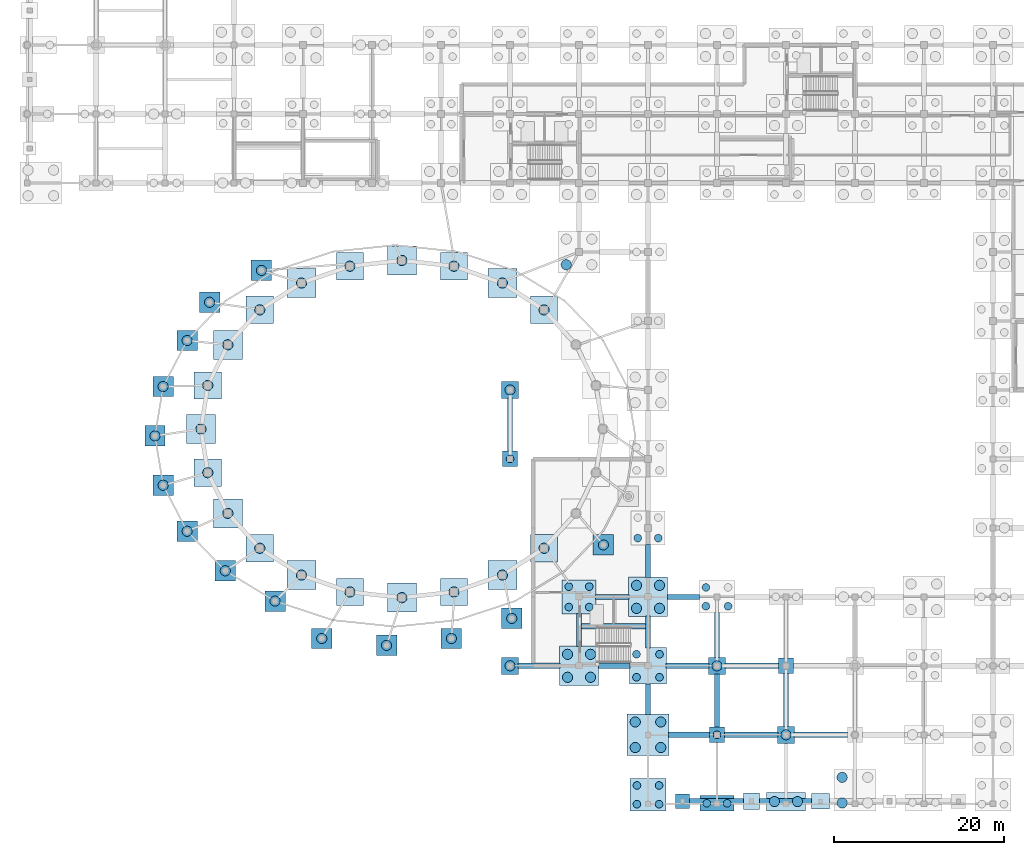
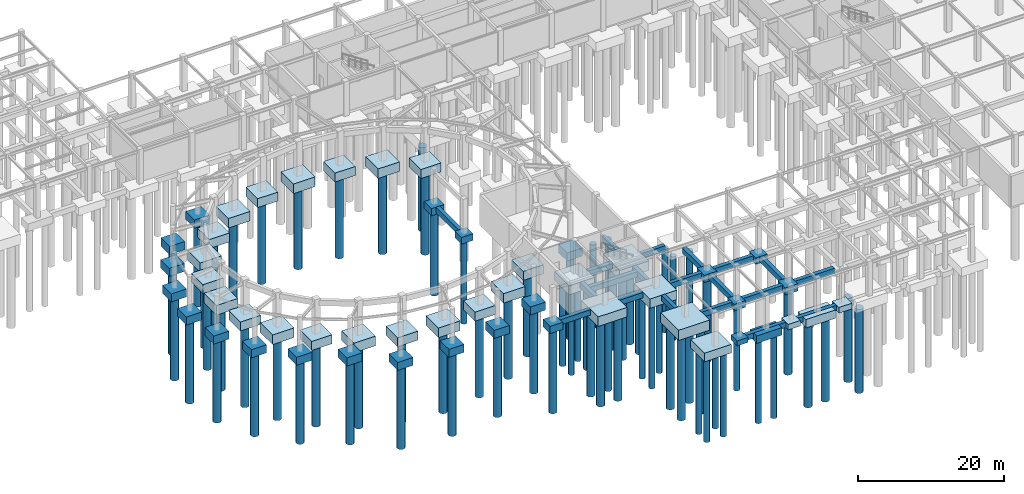
# One storey, part 1 of 26: 75 piles, 71 footings.
"""IFC4 building model written with IfcOpenShell, lengths in metres."""

import ifcopenshell
import ifcopenshell.guid

model = None  # the IFC model being written
_history = None  # IfcOwnerHistory: only IFC2X3 demands one
_inside = {}  # id of a spatial element -> (the spatial element, [elements in it])
_under = {}  # id of a project, library or spatial element -> (it, [spatial elements below it])
_declared = {}  # id of a project -> (the project, [libraries it declares])
_typed = {}  # id of a type object -> (the type object, [elements of that type])
_made_of = {}  # id of a material, layer set ... -> (it, [elements and type objects made of it])


def new_model(schema):
    """Start an empty IFC model of exactly this schema.

    Asked for "IFC4X3", IfcOpenShell would pick the latest addendum, in which some entities
    have other attributes; the version numbers below select the first issue.
    IFC2X3 requires an IfcOwnerHistory on every rooted entity: one is made here for all.
    """
    global model, _history
    if schema == "IFC4X3":
        model = ifcopenshell.file(schema_version=(4, 3, 0, 0))
    else:
        model = ifcopenshell.file(schema=schema)
    _inside.clear()
    _under.clear()
    _declared.clear()
    _typed.clear()
    _made_of.clear()
    _history = None
    if model.schema == "IFC2X3":
        org = make("IfcOrganization", Name="unknown")
        user = make(
            "IfcPersonAndOrganization",
            ThePerson=make("IfcPerson", FamilyName="unknown"),
            TheOrganization=org,
        )
        app = make(
            "IfcApplication",
            ApplicationDeveloper=org,
            Version="unknown",
            ApplicationFullName="unknown",
            ApplicationIdentifier="unknown",
        )
        _history = make(
            "IfcOwnerHistory",
            OwningUser=user,
            OwningApplication=app,
            ChangeAction="ADDED",
            CreationDate=0,
        )
    return model


def make(cls, **values):
    """One entity of the class cls with the attributes given. An attribute that is None is left unset."""
    return model.create_entity(
        cls, **{name: value for name, value in values.items() if value is not None}
    )


def rooted(cls, **values):
    """An entity with a GlobalId (a new one), such as an element, a storey or a relation."""
    return make(cls, GlobalId=ifcopenshell.guid.new(), OwnerHistory=_history, **values)


def si_unit(unit_type, name, prefix=None):
    """IfcSIUnit, for example si_unit("LENGTHUNIT", "METRE", prefix="MILLI")."""
    return make("IfcSIUnit", UnitType=unit_type, Prefix=prefix, Name=name)


def assignment(units):
    """IfcUnitAssignment: the units of a project."""
    return None if units is None else make("IfcUnitAssignment", Units=units)


def point(xyz):
    """IfcCartesianPoint."""
    return None if xyz is None else make("IfcCartesianPoint", Coordinates=xyz)


def direction(xyz):
    """IfcDirection."""
    return None if xyz is None else make("IfcDirection", DirectionRatios=xyz)


def frame(location, z_axis=None, x_axis=None):
    """IfcAxis2Placement3D, a coordinate frame: its origin and axes. An axis left out is left unset."""
    return make(
        "IfcAxis2Placement3D",
        Location=point(location),
        Axis=direction(z_axis),
        RefDirection=direction(x_axis),
    )


def frame_2d(location, x_axis=None):
    """IfcAxis2Placement2D, a coordinate frame in the plane: its origin and x axis."""
    return make(
        "IfcAxis2Placement2D", Location=point(location), RefDirection=direction(x_axis)
    )


def origin():
    """The frame at (0, 0, 0) with its axes left unset."""
    return frame((0.0, 0.0, 0.0))


def origin_2d():
    """The frame at (0, 0) in the plane with its x axis left unset."""
    return frame_2d((0.0, 0.0))


def place(relative_to, where):
    """IfcLocalPlacement: puts the frame where relative to a parent placement (None: the world)."""
    return make(
        "IfcLocalPlacement", PlacementRelTo=relative_to, RelativePlacement=where
    )


def context(
    kind, dimensions, precision=None, world=None, true_north=None, identifier=None
):
    """IfcGeometricRepresentationContext, for example the 3D "Model" context."""
    return make(
        "IfcGeometricRepresentationContext",
        ContextIdentifier=identifier,
        ContextType=kind,
        CoordinateSpaceDimension=dimensions,
        Precision=precision,
        WorldCoordinateSystem=world,
        TrueNorth=true_north,
    )


def subcontext(parent, identifier, kind, view, scale=None):
    """IfcGeometricRepresentationSubContext, for example "Body" below "Model"."""
    return make(
        "IfcGeometricRepresentationSubContext",
        ContextIdentifier=identifier,
        ContextType=kind,
        ParentContext=parent,
        TargetScale=scale,
        TargetView=view,
    )


def project(units=None, contexts=None):
    """IfcProject with its units and contexts."""
    return rooted(
        "IfcProject",
        Name="project",
        RepresentationContexts=contexts,
        UnitsInContext=assignment(units),
    )


def spatial(cls, under=None, at=None, **own):
    """A site, building, storey or space (cls), placed at a placement, below another one or the project."""
    s = rooted(cls, ObjectPlacement=at, **own)
    if under is not None:
        _under.setdefault(under.id(), (under, []))[1].append(s)
    return s


def profile(cls, at=None, kind="AREA", **sizes):
    """A parametric profile (cls). Its sizes go by their IFC names, for example OverallWidth=200.0."""
    return make(cls, ProfileType=kind, Position=at, **sizes)


def rectangle(**sizes):
    """IfcRectangleProfileDef."""
    return profile("IfcRectangleProfileDef", **sizes)


def circle(**sizes):
    """IfcCircleProfileDef."""
    return profile("IfcCircleProfileDef", **sizes)


def extrude(swept, where, along, depth):
    """IfcExtrudedAreaSolid: the profile swept, set in the frame where, extruded along a direction by depth."""
    return make(
        "IfcExtrudedAreaSolid",
        SweptArea=swept,
        Position=where,
        ExtrudedDirection=direction(along),
        Depth=depth,
    )


def shape(context_of_items, identifier, shape_type, items):
    """IfcShapeRepresentation: the items that make up one representation, for example the "Body"."""
    return make(
        "IfcShapeRepresentation",
        ContextOfItems=context_of_items,
        RepresentationIdentifier=identifier,
        RepresentationType=shape_type,
        Items=items,
    )


def material(Name=None, Category=None):
    """IfcMaterial."""
    return make("IfcMaterial", Name=Name, Category=Category)


def material_profile(
    of_material, cross_section, Name=None, Category=None, Priority=None
):
    """IfcMaterialProfile: a cross section and its material."""
    return make(
        "IfcMaterialProfile",
        Name=Name,
        Material=of_material,
        Profile=cross_section,
        Priority=Priority,
        Category=Category,
    )


def profile_set(profiles, Name=None, composite=None):
    """IfcMaterialProfileSet."""
    return make(
        "IfcMaterialProfileSet",
        Name=Name,
        MaterialProfiles=profiles,
        CompositeProfile=composite,
    )


def made_of(thing, what):
    """Note that an element or type object is made of a material, layer set ...; save() writes the relation."""
    if what is not None:
        _made_of.setdefault(what.id(), (what, []))[1].append(thing)
    return thing


def type_object(cls, material=None, **own):
    """A type object (cls), such as IfcWallType, which elements share."""
    return made_of(rooted(cls, **own), material)


def element(
    cls,
    number,
    at=None,
    inside=None,
    cuts=None,
    type_object=None,
    material=None,
    context=None,
    identifier="Body",
    shape_type=None,
    held_by="IfcProductDefinitionShape",
    body=None,
    shapes=None,
    **own,
):
    """One element of the class cls, such as IfcWall. Its Tag is "e" and its number.

    at: its placement. inside: the storey or other place that contains it. cuts: it is an
    opening in that element (IfcRelVoidsElement). A single representation is given by context,
    identifier, shape_type and body (its items); several are given by shapes. held_by: the class
    of the entity that holds the representations. save() writes the other relations.
    """
    e = rooted(cls, Tag="e%d" % number, ObjectPlacement=at, **own)
    if body is not None:
        shapes = [shape(context, identifier, shape_type, body)]
    if shapes is not None:
        e.Representation = make(held_by, Representations=shapes)
    if inside is not None:
        _inside.setdefault(inside.id(), (inside, []))[1].append(e)
    if cuts is not None:
        rooted(
            "IfcRelVoidsElement", RelatingBuildingElement=cuts, RelatedOpeningElement=e
        )
    if type_object is not None:
        _typed.setdefault(type_object.id(), (type_object, []))[1].append(e)
    return made_of(e, material)


def aggregate(whole, parts):
    """IfcRelAggregates: a whole, such as a stair, and the parts it consists of."""
    return rooted("IfcRelAggregates", RelatingObject=whole, RelatedObjects=parts)


def save(model, path):
    """Write the relations noted so far, then the file.

    IfcRelAggregates (storeys below a building ...), IfcRelContainedInSpatialStructure (elements
    in a storey), IfcRelDefinesByType, IfcRelAssociatesMaterial and IfcRelDeclares: one each for
    every whole, place, type object, material and project.
    """
    for whole, parts in _under.values():
        aggregate(whole, parts)
    for where, things in _inside.values():
        rooted(
            "IfcRelContainedInSpatialStructure",
            RelatedElements=things,
            RelatingStructure=where,
        )
    for kind, things in _typed.values():
        rooted("IfcRelDefinesByType", RelatedObjects=things, RelatingType=kind)
    for what, things in _made_of.values():
        rooted("IfcRelAssociatesMaterial", RelatedObjects=things, RelatingMaterial=what)
    for by, libraries in _declared.values():
        rooted("IfcRelDeclares", RelatingContext=by, RelatedDefinitions=libraries)
    model.write(path)


model = new_model("IFC4")

# Units and contexts
model_context = context("Model", 3, precision=1e-05, world=origin(), true_north=direction((0.0, 1.0)))
body_context = subcontext(model_context, "Body", "Model", "MODEL_VIEW")
ifc_project = project(units=[si_unit("LENGTHUNIT", "METRE"), si_unit("AREAUNIT", "SQUARE_METRE"), si_unit("VOLUMEUNIT", "CUBIC_METRE"), si_unit("PLANEANGLEUNIT", "RADIAN"), si_unit("MASSUNIT", "GRAM", prefix="KILO")], contexts=[model_context])

# Site, building, storey
site_placement = place(None, origin())
site = spatial("IfcSite", under=ifc_project, at=site_placement, CompositionType="ELEMENT")
building_placement = place(site_placement, origin())
building = spatial("IfcBuilding", under=site, at=building_placement, Name="Parian Resonance Hall", CompositionType="ELEMENT")
storey_placement = place(building_placement, frame((0.0, 0.0, -5.39990234375)))
storey = spatial("IfcBuildingStorey", under=building, at=storey_placement, Name="B1", CompositionType="ELEMENT", Elevation=-5.39990234375)

# Footings
ifc_material_1 = material(Name="Concrete C35/45", Category="concrete")
ifc_material_profile_1 = material_profile(ifc_material_1, rectangle(XDim=0.60009765625, YDim=0.89990234375, at=origin_2d()), Name="RC-GB-600x900")
ifc_profile_set_1 = profile_set([ifc_material_profile_1], Name="Concrete C35/45")
footing_type_1 = type_object("IfcFootingType", Name="GB-600x900", PredefinedType="FOOTING_BEAM", material=ifc_profile_set_1)
footing_1_placement = place(storey_placement, frame((57.659912109375, 16.199951171875, -0.85009765625), z_axis=(1.0, 0.0, 0.0), x_axis=(0.0, 1.0, 0.0)))
element("IfcFooting", 1, at=footing_1_placement, inside=storey, type_object=footing_type_1, Name="Foundation tie beam B1-048", PredefinedType="FOOTING_BEAM", context=body_context, shape_type="SweptSolid", body=[
    extrude(rectangle(XDim=0.60009765625, YDim=0.89990234375, at=origin_2d()), origin(), (0.0, 0.0, 1.0), 4.880126953125),
])
footing_2_placement = place(storey_placement, frame((56.699951171875, 41.360107421875, -0.85009765625), z_axis=(0.0, 1.0, 0.0), x_axis=(-1.0, 0.0, 0.0)))
element("IfcFooting", 2, at=footing_2_placement, inside=storey, type_object=footing_type_1, Name="Foundation tie beam B1-049", PredefinedType="FOOTING_BEAM", context=body_context, shape_type="SweptSolid", body=[
    extrude(rectangle(XDim=0.60009765625, YDim=0.89990234375, at=origin_2d()), origin(), (0.0, 0.0, 1.0), 6.27978515625),
])
footing_3_placement = place(storey_placement, frame((67.06005859375, 16.199951171875, -0.85009765625), z_axis=(1.0, 0.0, 0.0), x_axis=(0.0, 1.0, 0.0)))
element("IfcFooting", 3, at=footing_3_placement, inside=storey, type_object=footing_type_1, Name="Foundation tie beam B1-055", PredefinedType="FOOTING_BEAM", context=body_context, shape_type="SweptSolid", body=[
    extrude(rectangle(XDim=0.60009765625, YDim=0.89990234375, at=origin_2d()), origin(), (0.0, 0.0, 1.0), 3.72998046875),
])
footing_4_placement = place(storey_placement, frame((64.800048828125, 18.4599609375, -0.85009765625), z_axis=(0.0, 1.0, 0.0), x_axis=(-1.0, 0.0, 0.0)))
element("IfcFooting", 4, at=footing_4_placement, inside=storey, type_object=footing_type_1, Name="Foundation tie beam B1-056", PredefinedType="FOOTING_BEAM", context=body_context, shape_type="SweptSolid", body=[
    extrude(rectangle(XDim=0.60009765625, YDim=0.89990234375, at=origin_2d()), origin(), (0.0, 0.0, 1.0), 3.880126953125),
])
footing_5_placement = place(storey_placement, frame((66.760009765625, 24.300048828125, -0.85009765625), z_axis=(1.0, 0.0, 0.0), x_axis=(0.0, 1.0, 0.0)))
element("IfcFooting", 5, at=footing_5_placement, inside=storey, type_object=footing_type_1, Name="Foundation tie beam B1-057", PredefinedType="FOOTING_BEAM", context=body_context, shape_type="SweptSolid", body=[
    extrude(rectangle(XDim=0.60009765625, YDim=0.89990234375, at=origin_2d()), origin(), (0.0, 0.0, 1.0), 3.8798828125),
])
footing_6_placement = place(storey_placement, frame((75.31005859375, 8.10009765625, -0.85009765625), z_axis=(1.0, 0.0, 0.0), x_axis=(0.0, 1.0, 0.0)))
element("IfcFooting", 6, at=footing_6_placement, inside=storey, type_object=footing_type_1, Name="Foundation tie beam B1-065", PredefinedType="FOOTING_BEAM", context=body_context, shape_type="SweptSolid", body=[
    extrude(rectangle(XDim=0.60009765625, YDim=0.89990234375, at=origin_2d()), origin(), (0.0, 0.0, 1.0), 4.829833984375),
])
footing_7_placement = place(storey_placement, frame((72.89990234375, 10.510009765625, -0.85009765625), z_axis=(0.0, 1.0, 0.0), x_axis=(-1.0, 0.0, 0.0)))
element("IfcFooting", 7, at=footing_7_placement, inside=storey, type_object=footing_type_1, Name="Foundation tie beam B1-066", PredefinedType="FOOTING_BEAM", context=body_context, shape_type="SweptSolid", body=[
    extrude(rectangle(XDim=0.60009765625, YDim=0.89990234375, at=origin_2d()), origin(), (0.0, 0.0, 1.0), 3.580078125),
])
footing_8_placement = place(storey_placement, frame((75.010009765625, 16.199951171875, -0.85009765625), z_axis=(1.0, 0.0, 0.0), x_axis=(0.0, 1.0, 0.0)))
element("IfcFooting", 8, at=footing_8_placement, inside=storey, type_object=footing_type_1, Name="Foundation tie beam B1-067", PredefinedType="FOOTING_BEAM", context=body_context, shape_type="SweptSolid", body=[
    extrude(rectangle(XDim=0.60009765625, YDim=0.89990234375, at=origin_2d()), origin(), (0.0, 0.0, 1.0), 5.030029296875),
])
footing_9_placement = place(storey_placement, frame((72.89990234375, 18.31005859375, -0.85009765625), z_axis=(0.0, 1.0, 0.0), x_axis=(-1.0, 0.0, 0.0)))
element("IfcFooting", 9, at=footing_9_placement, inside=storey, type_object=footing_type_1, Name="Foundation tie beam B1-068", PredefinedType="FOOTING_BEAM", context=body_context, shape_type="SweptSolid", body=[
    extrude(rectangle(XDim=0.60009765625, YDim=0.89990234375, at=origin_2d()), origin(), (0.0, 0.0, 1.0), 3.72998046875),
])
footing_10_placement = place(storey_placement, frame((75.159912109375, 24.300048828125, -0.85009765625), z_axis=(1.0, 0.0, 0.0), x_axis=(0.0, 1.0, 0.0)))
element("IfcFooting", 10, at=footing_10_placement, inside=storey, type_object=footing_type_1, Name="Foundation tie beam B1-069", PredefinedType="FOOTING_BEAM", context=body_context, shape_type="SweptSolid", body=[
    extrude(rectangle(XDim=0.60009765625, YDim=0.89990234375, at=origin_2d()), origin(), (0.0, 0.0, 1.0), 3.780029296875),
])
footing_11_placement = place(storey_placement, frame((72.89990234375, 26.56005859375, -0.85009765625), z_axis=(0.0, 1.0, 0.0), x_axis=(-1.0, 0.0, 0.0)))
element("IfcFooting", 11, at=footing_11_placement, inside=storey, type_object=footing_type_1, Name="Foundation tie beam B1-070", PredefinedType="FOOTING_BEAM", context=body_context, shape_type="SweptSolid", body=[
    extrude(rectangle(XDim=0.60009765625, YDim=0.89990234375, at=origin_2d()), origin(), (0.0, 0.0, 1.0), 3.8798828125),
])
footing_12_placement = place(storey_placement, frame((77.760009765625, 0.300048828125, -0.85009765625), z_axis=(1.0, 0.0, 0.0), x_axis=(0.0, 1.0, 0.0)))
element("IfcFooting", 12, at=footing_12_placement, inside=storey, type_object=footing_type_1, Name="Foundation tie beam B1-081", PredefinedType="FOOTING_BEAM", context=body_context, shape_type="SweptSolid", body=[
    extrude(rectangle(XDim=0.60009765625, YDim=0.89990234375, at=origin_2d()), origin(), (0.0, 0.0, 1.0), 6.3798828125),
])
footing_13_placement = place(storey_placement, frame((81.860107421875, 8.10009765625, -0.85009765625), z_axis=(1.0, 0.0, 0.0), x_axis=(0.0, 1.0, 0.0)))
element("IfcFooting", 13, at=footing_13_placement, inside=storey, type_object=footing_type_1, Name="Foundation tie beam B1-082", PredefinedType="FOOTING_BEAM", context=body_context, shape_type="SweptSolid", body=[
    extrude(rectangle(XDim=0.60009765625, YDim=0.89990234375, at=origin_2d()), origin(), (0.0, 0.0, 1.0), 6.27978515625),
])
for number, where, z_axis, x_axis, name in (
    (14, (81.0, 8.9599609375, -0.85009765625), (0.0, 1.0, 0.0), (-1.0, 0.0, 0.0), "Foundation tie beam B1-083"),
    (15, (81.9599609375, 16.199951171875, -0.85009765625), (1.0, 0.0, 0.0), (0.0, 1.0, 0.0), "Foundation tie beam B1-084"),
):
    element("IfcFooting", number, at=place(storey_placement, frame(where, z_axis=z_axis, x_axis=x_axis)), inside=storey, type_object=footing_type_1, Name=name, PredefinedType="FOOTING_BEAM", context=body_context, shape_type="SweptSolid", body=[
        extrude(rectangle(XDim=0.60009765625, YDim=0.89990234375, at=origin_2d()), origin(), (0.0, 0.0, 1.0), 6.280029296875),
    ])
footing_14_placement = place(storey_placement, frame((81.0, 17.159912109375, -0.85009765625), z_axis=(0.0, 1.0, 0.0), x_axis=(-1.0, 0.0, 0.0)))
element("IfcFooting", 16, at=footing_14_placement, inside=storey, type_object=footing_type_1, Name="Foundation tie beam B1-085", PredefinedType="FOOTING_BEAM", context=body_context, shape_type="SweptSolid", body=[
    extrude(rectangle(XDim=0.60009765625, YDim=0.89990234375, at=origin_2d()), origin(), (0.0, 0.0, 1.0), 5.280029296875),
])
footing_15_placement = place(storey_placement, frame((85.9599609375, 0.300048828125, -0.85009765625), z_axis=(1.0, 0.0, 0.0), x_axis=(0.0, 1.0, 0.0)))
element("IfcFooting", 17, at=footing_15_placement, inside=storey, type_object=footing_type_1, Name="Foundation tie beam B1-092", PredefinedType="FOOTING_BEAM", context=body_context, shape_type="SweptSolid", body=[
    extrude(rectangle(XDim=0.60009765625, YDim=0.89990234375, at=origin_2d()), origin(), (0.0, 0.0, 1.0), 6.179931640625),
])
for number, where, z_axis, x_axis, name in (
    (18, (90.06005859375, 8.10009765625, -0.85009765625), (1.0, 0.0, 0.0), (0.0, 1.0, 0.0), "Foundation tie beam B1-093"),
    (19, (89.10009765625, 9.06005859375, -0.85009765625), (0.0, 1.0, 0.0), (-1.0, 0.0, 0.0), "Foundation tie beam B1-094"),
):
    element("IfcFooting", number, at=place(storey_placement, frame(where, z_axis=z_axis, x_axis=x_axis)), inside=storey, type_object=footing_type_1, Name=name, PredefinedType="FOOTING_BEAM", context=body_context, shape_type="SweptSolid", body=[
        extrude(rectangle(XDim=0.60009765625, YDim=0.89990234375, at=origin_2d()), origin(), (0.0, 0.0, 1.0), 6.280029296875),
    ])
footing_16_placement = place(storey_placement, frame((64.800048828125, 20.85009765625, -0.85009765625), z_axis=(1.0, 0.0, 0.0), x_axis=(0.0, 1.0, 0.0)))
element("IfcFooting", 20, at=footing_16_placement, inside=storey, type_object=footing_type_1, Name="Core K3 divider foundation beam", PredefinedType="FOOTING_BEAM", context=body_context, shape_type="SweptSolid", body=[
    extrude(rectangle(XDim=0.60009765625, YDim=0.89990234375, at=origin_2d()), origin(), (0.0, 0.0, 1.0), 8.099853515625),
])
ifc_material_2 = material(Name="Concrete C35/45", Category="concrete")
footing_type_2 = type_object("IfcFootingType", Name="PAD-1700", PredefinedType="PAD_FOOTING", material=ifc_material_2)
footing_17_placement = place(storey_placement, frame((76.949951171875, 0.300048828125, -1.250244140625), z_axis=(0.0, 0.0, 1.0), x_axis=(1.0, 0.0, 0.0)))
element("IfcFooting", 21, at=footing_17_placement, inside=storey, type_object=footing_type_2, Name="Arcade pad footing PIL-S-09", PredefinedType="PAD_FOOTING", context=body_context, shape_type="SweptSolid", body=[
    extrude(rectangle(XDim=1.699951171875, YDim=1.699951171875, at=origin_2d()), origin(), (0.0, 0.0, 1.0), 0.85009765625),
])
ifc_material_3 = material(Name="Concrete C35/45", Category="concrete")
footing_type_3 = type_object("IfcFootingType", Name="PAD-1900", PredefinedType="PAD_FOOTING", material=ifc_material_3)
footing_18_placement = place(storey_placement, frame((85.050048828125, 0.300048828125, -1.300048828125), z_axis=(0.0, 0.0, 1.0), x_axis=(1.0, 0.0, 0.0)))
element("IfcFooting", 22, at=footing_18_placement, inside=storey, type_object=footing_type_3, Name="Arcade pad footing PIL-S-10", PredefinedType="PAD_FOOTING", context=body_context, shape_type="SweptSolid", body=[
    extrude(rectangle(XDim=1.89990234375, YDim=1.89990234375, at=origin_2d()), origin(), (0.0, 0.0, 1.0), 0.89990234375),
])
ifc_material_4 = material(Name="Concrete C35/45", Category="concrete")
footing_type_4 = type_object("IfcFootingType", Name="PAD-2100x1800", PredefinedType="PAD_FOOTING", material=ifc_material_4)
footing_19_placement = place(storey_placement, frame((93.14990234375, 0.300048828125, -1.35009765625), z_axis=(0.0, 0.0, 1.0), x_axis=(1.0, 0.0, 0.0)))
element("IfcFooting", 23, at=footing_19_placement, inside=storey, type_object=footing_type_4, Name="Arcade pad footing PIL-S-11", PredefinedType="PAD_FOOTING", context=body_context, shape_type="SweptSolid", body=[
    extrude(rectangle(XDim=2.10009765625, YDim=1.800048828125, at=origin_2d()), origin(), (0.0, 0.0, 1.0), 0.949951171875),
])
ifc_material_5 = material(Name="Concrete C35/45", Category="concrete")
footing_type_5 = type_object("IfcFootingType", Name="PC-1P-1800", PredefinedType="PILE_CAP", material=ifc_material_5)
for number, where, z_axis, x_axis, name in (
    (24, (56.699951171875, 40.5, -1.500244140625), (0.0, 0.0, 1.0), (1.0, 0.0, 0.0), "Pile cap G08-06"),
    (25, (81.0, 8.10009765625, -1.500244140625), (0.0, 0.0, 1.0), (1.0, 0.0, 0.0), "Pile cap G11-02"),
    (26, (89.10009765625, 16.199951171875, -1.500244140625), (0.0, 0.0, 1.0), (1.0, 0.0, 0.0), "Pile cap G12-03"),
):
    element("IfcFooting", number, at=place(storey_placement, frame(where, z_axis=z_axis, x_axis=x_axis)), inside=storey, type_object=footing_type_5, Name=name, PredefinedType="PILE_CAP", context=body_context, shape_type="SweptSolid", body=[
        extrude(rectangle(XDim=1.800048828125, YDim=1.800048828125, at=origin_2d()), origin(), (0.0, 0.0, 1.0), 1.10009765625),
    ])
ifc_material_6 = material(Name="Concrete C35/45", Category="concrete")
footing_type_6 = type_object("IfcFootingType", Name="PC-1P-2000", PredefinedType="PILE_CAP", material=ifc_material_6)
for number, where, z_axis, x_axis, name in (
    (27, (56.699951171875, 16.199951171875, -1.60009765625), (0.0, 0.0, 1.0), (1.0, 0.0, 0.0), "Pile cap G08-03"),
    (28, (56.699951171875, 48.60009765625, -1.60009765625), (0.0, 0.0, 1.0), (1.0, 0.0, 0.0), "Pile cap G08-07"),
    (29, (81.0, 16.199951171875, -1.60009765625), (0.0, 0.0, 1.0), (1.0, 0.0, 0.0), "Pile cap G11-03"),
    (30, (89.10009765625, 8.10009765625, -1.60009765625), (0.0, 0.0, 1.0), (1.0, 0.0, 0.0), "Pile cap G12-02"),
):
    element("IfcFooting", number, at=place(storey_placement, frame(where, z_axis=z_axis, x_axis=x_axis)), inside=storey, type_object=footing_type_6, Name=name, PredefinedType="PILE_CAP", context=body_context, shape_type="SweptSolid", body=[
        extrude(rectangle(XDim=2.0, YDim=2.0, at=origin_2d()), origin(), (0.0, 0.0, 1.0), 1.199951171875),
    ])
ifc_material_7 = material(Name="Concrete C35/45", Category="concrete")
footing_type_7 = type_object("IfcFootingType", Name="PC-2P-4000x1800", PredefinedType="PILE_CAP", material=ifc_material_7)
footing_20_placement = place(storey_placement, frame((81.0, 0.050048828125, -1.650146484375), z_axis=(0.0, 0.0, 1.0), x_axis=(1.0, 0.0, 0.0)))
element("IfcFooting", 31, at=footing_20_placement, inside=storey, type_object=footing_type_7, Name="Pile cap G11-01", PredefinedType="PILE_CAP", context=body_context, shape_type="SweptSolid", body=[
    extrude(rectangle(XDim=4.0, YDim=1.800048828125, at=origin_2d()), origin(), (0.0, 0.0, 1.0), 1.25),
])
ifc_material_8 = material(Name="Concrete C35/45", Category="concrete")
footing_type_8 = type_object("IfcFootingType", Name="PC-2P-4600x2200", PredefinedType="PILE_CAP", material=ifc_material_8)
footing_21_placement = place(storey_placement, frame((89.10009765625, 0.25, -1.800048828125), z_axis=(0.0, 0.0, 1.0), x_axis=(1.0, 0.0, 0.0)))
element("IfcFooting", 32, at=footing_21_placement, inside=storey, type_object=footing_type_8, Name="Pile cap G12-01", PredefinedType="PILE_CAP", context=body_context, shape_type="SweptSolid", body=[
    extrude(rectangle(XDim=4.60009765625, YDim=2.199951171875, at=origin_2d()), origin(), (0.0, 0.0, 1.0), 1.39990234375),
])
ifc_material_9 = material(Name="Concrete C35/45", Category="concrete")
footing_type_9 = type_object("IfcFootingType", Name="PC-3P-4200x3800", PredefinedType="PILE_CAP", material=ifc_material_9)
footing_22_placement = place(storey_placement, frame((72.89990234375, 1.050048828125, -1.85009765625), z_axis=(0.0, 0.0, 1.0), x_axis=(1.0, 0.0, 0.0)))
element("IfcFooting", 33, at=footing_22_placement, inside=storey, type_object=footing_type_9, Name="Pile cap G10-01", PredefinedType="PILE_CAP", context=body_context, shape_type="SweptSolid", body=[
    extrude(rectangle(XDim=4.199951171875, YDim=3.800048828125, at=origin_2d()), origin(), (0.0, 0.0, 1.0), 1.449951171875),
])
ifc_material_10 = material(Name="Concrete C35/45", Category="concrete")
footing_type_10 = type_object("IfcFootingType", Name="PC-4P-4000x4000", PredefinedType="PILE_CAP", material=ifc_material_10)
footing_23_placement = place(storey_placement, frame((64.800048828125, 24.300048828125, -1.900146484375), z_axis=(0.0, 0.0, 1.0), x_axis=(1.0, 0.0, 0.0)))
element("IfcFooting", 34, at=footing_23_placement, inside=storey, type_object=footing_type_10, Name="Pile cap G09-04", PredefinedType="PILE_CAP", context=body_context, shape_type="SweptSolid", body=[
    extrude(rectangle(XDim=4.0, YDim=4.0, at=origin_2d()), origin(), (0.0, 0.0, 1.0), 1.5),
])
ifc_material_11 = material(Name="Concrete C35/45", Category="concrete")
footing_type_11 = type_object("IfcFootingType", Name="PC-4P-4300x4300", PredefinedType="PILE_CAP", material=ifc_material_11)
footing_24_placement = place(storey_placement, frame((72.89990234375, 16.199951171875, -1.9501953125), z_axis=(0.0, 0.0, 1.0), x_axis=(1.0, 0.0, 0.0)))
element("IfcFooting", 35, at=footing_24_placement, inside=storey, type_object=footing_type_11, Name="Pile cap G10-03", PredefinedType="PILE_CAP", context=body_context, shape_type="SweptSolid", body=[
    extrude(rectangle(XDim=4.300048828125, YDim=4.300048828125, at=origin_2d()), origin(), (0.0, 0.0, 1.0), 1.550048828125),
])
ifc_material_12 = material(Name="Concrete C35/45", Category="concrete")
footing_type_12 = type_object("IfcFootingType", Name="PC-4P-4600x4600", PredefinedType="PILE_CAP", material=ifc_material_12)
for number, where, z_axis, x_axis, name in (
    (36, (64.800048828125, 16.199951171875, -2.000244140625), (0.0, 0.0, 1.0), (1.0, 0.0, 0.0), "Pile cap G09-03"),
    (37, (72.89990234375, 24.300048828125, -2.000244140625), (0.0, 0.0, 1.0), (1.0, 0.0, 0.0), "Pile cap G10-04"),
):
    element("IfcFooting", number, at=place(storey_placement, frame(where, z_axis=z_axis, x_axis=x_axis)), inside=storey, type_object=footing_type_12, Name=name, PredefinedType="PILE_CAP", context=body_context, shape_type="SweptSolid", body=[
        extrude(rectangle(XDim=4.60009765625, YDim=4.60009765625, at=origin_2d()), origin(), (0.0, 0.0, 1.0), 1.60009765625),
    ])
ifc_material_13 = material(Name="Concrete C35/45", Category="concrete")
footing_type_13 = type_object("IfcFootingType", Name="PC-4P-4900x4900", PredefinedType="PILE_CAP", material=ifc_material_13)
footing_25_placement = place(storey_placement, frame((72.89990234375, 8.10009765625, -2.10009765625), z_axis=(0.0, 0.0, 1.0), x_axis=(1.0, 0.0, 0.0)))
element("IfcFooting", 38, at=footing_25_placement, inside=storey, type_object=footing_type_13, Name="Pile cap G10-02", PredefinedType="PILE_CAP", context=body_context, shape_type="SweptSolid", body=[
    extrude(rectangle(XDim=4.89990234375, YDim=4.89990234375, at=origin_2d()), origin(), (0.0, 0.0, 1.0), 1.699951171875),
])
ifc_material_14 = material(Name="Concrete C35/45", Category="concrete")
footing_type_14 = type_object("IfcFootingType", Name="PC-DRUM-3200x3200", PredefinedType="PILE_CAP", material=ifc_material_14)
for number, where, z_axis, x_axis, name in (
    (39, (60.687744140625, 58.000732421875, -1.900146484375), (0.0, 0.0, 1.0), (1.0, 0.0, 0.0), "Pile cap DRM-04"),
    (40, (50.108154296875, 63.125244140625, -1.900146484375), (0.0, 0.0, 1.0), (1.0, 0.0, 0.0), "Pile cap DRM-06"),
    (41, (37.891845703125, 63.125244140625, -1.900146484375), (0.0, 0.0, 1.0), (1.0, 0.0, 0.0), "Pile cap DRM-08"),
    (42, (27.312255859375, 58.000732421875, -1.900146484375), (0.0, 0.0, 1.0), (1.0, 0.0, 0.0), "Pile cap DRM-10"),
    (43, (21.2041015625, 49.12451171875, -1.900146484375), (0.0, 0.0, 1.0), (1.0, 0.0, 0.0), "Pile cap DRM-12"),
    (44, (21.2041015625, 38.87548828125, -1.900146484375), (0.0, 0.0, 1.0), (1.0, 0.0, 0.0), "Pile cap DRM-14"),
    (45, (27.312255859375, 29.999267578125, -1.900146484375), (0.0, 0.0, 1.0), (1.0, 0.0, 0.0), "Pile cap DRM-16"),
    (46, (37.891845703125, 24.874755859375, -1.900146484375), (0.0, 0.0, 1.0), (1.0, 0.0, 0.0), "Pile cap DRM-18"),
    (47, (50.108154296875, 24.874755859375, -1.900146484375), (0.0, 0.0, 1.0), (1.0, 0.0, 0.0), "Pile cap DRM-20"),
    (48, (60.687744140625, 29.999267578125, -1.900146484375), (0.0, 0.0, 1.0), (1.0, 0.0, 0.0), "Pile cap DRM-22"),
):
    element("IfcFooting", number, at=place(storey_placement, frame(where, z_axis=z_axis, x_axis=x_axis)), inside=storey, type_object=footing_type_14, Name=name, PredefinedType="PILE_CAP", context=body_context, shape_type="SweptSolid", body=[
        extrude(rectangle(XDim=3.199951171875, YDim=3.199951171875, at=origin_2d()), origin(), (0.0, 0.0, 1.0), 1.5),
    ])
ifc_material_15 = material(Name="Concrete C35/45", Category="concrete")
footing_type_15 = type_object("IfcFootingType", Name="PC-DRUM-3400x3400", PredefinedType="PILE_CAP", material=ifc_material_15)
for number, where, z_axis, x_axis, name in (
    (49, (55.800048828125, 61.147216796875, -2.000244140625), (0.0, 0.0, 1.0), (1.0, 0.0, 0.0), "Pile cap DRM-05"),
    (50, (44.0, 63.800048828125, -2.000244140625), (0.0, 0.0, 1.0), (1.0, 0.0, 0.0), "Pile cap DRM-07"),
    (51, (32.199951171875, 61.147216796875, -2.000244140625), (0.0, 0.0, 1.0), (1.0, 0.0, 0.0), "Pile cap DRM-09"),
    (52, (23.561767578125, 53.89990234375, -2.000244140625), (0.0, 0.0, 1.0), (1.0, 0.0, 0.0), "Pile cap DRM-11"),
    (53, (20.39990234375, 44.0, -2.000244140625), (0.0, 0.0, 1.0), (1.0, 0.0, 0.0), "Pile cap DRM-13"),
    (54, (23.561767578125, 34.10009765625, -2.000244140625), (0.0, 0.0, 1.0), (1.0, 0.0, 0.0), "Pile cap DRM-15"),
    (55, (32.199951171875, 26.852783203125, -2.000244140625), (0.0, 0.0, 1.0), (1.0, 0.0, 0.0), "Pile cap DRM-17"),
    (56, (44.0, 24.199951171875, -2.000244140625), (0.0, 0.0, 1.0), (1.0, 0.0, 0.0), "Pile cap DRM-19"),
    (57, (55.800048828125, 26.852783203125, -2.000244140625), (0.0, 0.0, 1.0), (1.0, 0.0, 0.0), "Pile cap DRM-21"),
):
    element("IfcFooting", number, at=place(storey_placement, frame(where, z_axis=z_axis, x_axis=x_axis)), inside=storey, type_object=footing_type_15, Name=name, PredefinedType="PILE_CAP", context=body_context, shape_type="SweptSolid", body=[
        extrude(rectangle(XDim=3.39990234375, YDim=3.39990234375, at=origin_2d()), origin(), (0.0, 0.0, 1.0), 1.60009765625),
    ])
ifc_material_16 = material(Name="Concrete C35/45", Category="concrete")
footing_type_16 = type_object("IfcFootingType", Name="PC-RING-2400x2400", PredefinedType="PILE_CAP", material=ifc_material_16)
for number, where, z_axis, x_axis, name in (
    (58, (27.5, 62.63818359375, -1.750244140625), (0.0, 0.0, 1.0), (1.0, 0.0, 0.0), "Pile cap RNG-09"),
    (59, (21.4111328125, 58.8876953125, -1.750244140625), (0.0, 0.0, 1.0), (1.0, 0.0, 0.0), "Pile cap RNG-10"),
    (60, (18.778076171875, 54.39990234375, -1.750244140625), (0.0, 0.0, 1.0), (1.0, 0.0, 0.0), "Pile cap RNG-11"),
    (61, (15.9609375, 48.99755859375, -1.750244140625), (0.0, 0.0, 1.0), (1.0, 0.0, 0.0), "Pile cap RNG-12"),
    (62, (15.0, 43.199951171875, -1.750244140625), (0.0, 0.0, 1.0), (1.0, 0.0, 0.0), "Pile cap RNG-13"),
    (63, (15.9609375, 37.402587890625, -1.750244140625), (0.0, 0.0, 1.0), (1.0, 0.0, 0.0), "Pile cap RNG-14"),
    (64, (18.778076171875, 32.0, -1.750244140625), (0.0, 0.0, 1.0), (1.0, 0.0, 0.0), "Pile cap RNG-15"),
    (65, (23.259521484375, 27.36083984375, -1.750244140625), (0.0, 0.0, 1.0), (1.0, 0.0, 0.0), "Pile cap RNG-16"),
    (66, (29.10009765625, 23.801025390625, -1.750244140625), (0.0, 0.0, 1.0), (1.0, 0.0, 0.0), "Pile cap RNG-17"),
    (67, (34.5908203125, 19.404296875, -1.750244140625), (0.0, 0.0, 1.0), (1.0, 0.0, 0.0), "Pile cap RNG-18"),
    (68, (42.199951171875, 18.60009765625, -1.750244140625), (0.0, 0.0, 1.0), (1.0, 0.0, 0.0), "Pile cap RNG-19"),
    (69, (49.809326171875, 19.404296875, -1.750244140625), (0.0, 0.0, 1.0), (1.0, 0.0, 0.0), "Pile cap RNG-20"),
    (70, (56.89990234375, 21.76171875, -1.750244140625), (0.0, 0.0, 1.0), (1.0, 0.0, 0.0), "Pile cap RNG-21"),
    (71, (67.6611328125, 30.39990234375, -1.750244140625), (0.0, 0.0, 1.0), (1.0, 0.0, 0.0), "Pile cap RNG-23"),
):
    element("IfcFooting", number, at=place(storey_placement, frame(where, z_axis=z_axis, x_axis=x_axis)), inside=storey, type_object=footing_type_16, Name=name, PredefinedType="PILE_CAP", context=body_context, shape_type="SweptSolid", body=[
        extrude(rectangle(XDim=2.39990234375, YDim=2.39990234375, at=origin_2d()), origin(), (0.0, 0.0, 1.0), 1.35009765625),
    ])

# Piles
ifc_material_17 = material(Name="Concrete C35/45", Category="concrete")
ifc_material_profile_2 = material_profile(ifc_material_17, circle(Radius=0.60009765625, at=origin_2d()), Name="PILE-D1200")
ifc_profile_set_2 = profile_set([ifc_material_profile_2], Name="Concrete C35/45")
pile_type_1 = type_object("IfcPileType", Name="PILE-1200", PredefinedType="BORED", material=ifc_profile_set_2)
for number, where, z_axis, x_axis, name in (
    (72, (60.687744140625, 58.000732421875, -1.800048828125), (0.0, 0.0, -1.0), (1.0, 0.0, 0.0), "Bored pile DRM-04-1"),
    (73, (55.800048828125, 61.147216796875, -1.900146484375), (0.0, 0.0, -1.0), (1.0, 0.0, 0.0), "Bored pile DRM-05-1"),
    (74, (50.108154296875, 63.125244140625, -1.800048828125), (0.0, 0.0, -1.0), (1.0, 0.0, 0.0), "Bored pile DRM-06-1"),
    (75, (44.0, 63.800048828125, -1.900146484375), (0.0, 0.0, -1.0), (1.0, 0.0, 0.0), "Bored pile DRM-07-1"),
    (76, (37.891845703125, 63.125244140625, -1.800048828125), (0.0, 0.0, -1.0), (1.0, 0.0, 0.0), "Bored pile DRM-08-1"),
    (77, (32.199951171875, 61.147216796875, -1.900146484375), (0.0, 0.0, -1.0), (1.0, 0.0, 0.0), "Bored pile DRM-09-1"),
    (78, (27.312255859375, 58.000732421875, -1.800048828125), (0.0, 0.0, -1.0), (1.0, 0.0, 0.0), "Bored pile DRM-10-1"),
    (79, (23.561767578125, 53.89990234375, -1.900146484375), (0.0, 0.0, -1.0), (1.0, 0.0, 0.0), "Bored pile DRM-11-1"),
    (80, (21.2041015625, 49.12451171875, -1.800048828125), (0.0, 0.0, -1.0), (1.0, 0.0, 0.0), "Bored pile DRM-12-1"),
    (81, (20.39990234375, 44.0, -1.900146484375), (0.0, 0.0, -1.0), (1.0, 0.0, 0.0), "Bored pile DRM-13-1"),
    (82, (21.2041015625, 38.87548828125, -1.800048828125), (0.0, 0.0, -1.0), (1.0, 0.0, 0.0), "Bored pile DRM-14-1"),
    (83, (23.561767578125, 34.10009765625, -1.900146484375), (0.0, 0.0, -1.0), (1.0, 0.0, 0.0), "Bored pile DRM-15-1"),
    (84, (27.312255859375, 29.999267578125, -1.800048828125), (0.0, 0.0, -1.0), (1.0, 0.0, 0.0), "Bored pile DRM-16-1"),
    (85, (32.199951171875, 26.852783203125, -1.900146484375), (0.0, 0.0, -1.0), (1.0, 0.0, 0.0), "Bored pile DRM-17-1"),
    (86, (37.891845703125, 24.874755859375, -1.800048828125), (0.0, 0.0, -1.0), (1.0, 0.0, 0.0), "Bored pile DRM-18-1"),
    (87, (44.0, 24.199951171875, -1.900146484375), (0.0, 0.0, -1.0), (1.0, 0.0, 0.0), "Bored pile DRM-19-1"),
    (88, (50.108154296875, 24.874755859375, -1.800048828125), (0.0, 0.0, -1.0), (1.0, 0.0, 0.0), "Bored pile DRM-20-1"),
    (89, (55.800048828125, 26.852783203125, -1.900146484375), (0.0, 0.0, -1.0), (1.0, 0.0, 0.0), "Bored pile DRM-21-1"),
    (90, (60.687744140625, 29.999267578125, -1.800048828125), (0.0, 0.0, -1.0), (1.0, 0.0, 0.0), "Bored pile DRM-22-1"),
    (91, (56.699951171875, 16.199951171875, -1.5), (0.0, 0.0, -1.0), (1.0, 0.0, 0.0), "Bored pile G08-03-1"),
    (92, (56.699951171875, 48.60009765625, -1.5), (0.0, 0.0, -1.0), (1.0, 0.0, 0.0), "Bored pile G08-07-1"),
    (93, (63.449951171875, 14.85009765625, -1.900146484375), (0.0, 0.0, -1.0), (1.0, 0.0, 0.0), "Bored pile G09-03-1"),
    (94, (63.449951171875, 17.550048828125, -1.900146484375), (0.0, 0.0, -1.0), (1.0, 0.0, 0.0), "Bored pile G09-03-2"),
    (95, (66.14990234375, 14.85009765625, -1.900146484375), (0.0, 0.0, -1.0), (1.0, 0.0, 0.0), "Bored pile G09-03-3"),
    (96, (66.14990234375, 17.550048828125, -1.900146484375), (0.0, 0.0, -1.0), (1.0, 0.0, 0.0), "Bored pile G09-03-4"),
    (97, (63.300048828125, 63.300048828125, -2.0), (0.0, 0.0, -1.0), (1.0, 0.0, 0.0), "Bored pile G09-09-1"),
    (98, (71.39990234375, 6.60009765625, -2.0), (0.0, 0.0, -1.0), (1.0, 0.0, 0.0), "Bored pile G10-02-1"),
    (99, (71.39990234375, 9.60009765625, -2.0), (0.0, 0.0, -1.0), (1.0, 0.0, 0.0), "Bored pile G10-02-2"),
    (100, (74.39990234375, 6.60009765625, -2.0), (0.0, 0.0, -1.0), (1.0, 0.0, 0.0), "Bored pile G10-02-3"),
    (101, (74.39990234375, 9.60009765625, -2.0), (0.0, 0.0, -1.0), (1.0, 0.0, 0.0), "Bored pile G10-02-4"),
    (102, (71.550048828125, 22.949951171875, -1.900146484375), (0.0, 0.0, -1.0), (1.0, 0.0, 0.0), "Bored pile G10-04-1"),
    (103, (71.550048828125, 25.64990234375, -1.900146484375), (0.0, 0.0, -1.0), (1.0, 0.0, 0.0), "Bored pile G10-04-2"),
    (104, (74.25, 22.949951171875, -1.900146484375), (0.0, 0.0, -1.0), (1.0, 0.0, 0.0), "Bored pile G10-04-3"),
    (105, (74.25, 25.64990234375, -1.900146484375), (0.0, 0.0, -1.0), (1.0, 0.0, 0.0), "Bored pile G10-04-4"),
    (106, (81.0, 16.199951171875, -1.5), (0.0, 0.0, -1.0), (1.0, 0.0, 0.0), "Bored pile G11-03-1"),
    (107, (87.75, 0.25, -1.7001953125), (0.0, 0.0, -1.0), (1.0, 0.0, 0.0), "Bored pile G12-01-1"),
    (108, (90.449951171875, 0.25, -1.7001953125), (0.0, 0.0, -1.0), (1.0, 0.0, 0.0), "Bored pile G12-01-2"),
    (109, (89.10009765625, 8.10009765625, -1.5), (0.0, 0.0, -1.0), (1.0, 0.0, 0.0), "Bored pile G12-02-1"),
    (110, (95.699951171875, 0.10009765625, -2.0), (0.0, 0.0, -1.0), (1.0, 0.0, 0.0), "Bored pile G13-01-1"),
    (111, (95.699951171875, 3.10009765625, -2.0), (0.0, 0.0, -1.0), (1.0, 0.0, 0.0), "Bored pile G13-01-2"),
    (112, (27.5, 62.63818359375, -1.650146484375), (0.0, 0.0, -1.0), (1.0, 0.0, 0.0), "Bored pile RNG-09-1"),
    (113, (21.4111328125, 58.8876953125, -1.650146484375), (0.0, 0.0, -1.0), (1.0, 0.0, 0.0), "Bored pile RNG-10-1"),
    (114, (18.778076171875, 54.39990234375, -1.650146484375), (0.0, 0.0, -1.0), (1.0, 0.0, 0.0), "Bored pile RNG-11-1"),
    (115, (15.9609375, 48.99755859375, -1.650146484375), (0.0, 0.0, -1.0), (1.0, 0.0, 0.0), "Bored pile RNG-12-1"),
    (116, (15.0, 43.199951171875, -1.650146484375), (0.0, 0.0, -1.0), (1.0, 0.0, 0.0), "Bored pile RNG-13-1"),
    (117, (15.9609375, 37.402587890625, -1.650146484375), (0.0, 0.0, -1.0), (1.0, 0.0, 0.0), "Bored pile RNG-14-1"),
    (118, (18.778076171875, 32.0, -1.650146484375), (0.0, 0.0, -1.0), (1.0, 0.0, 0.0), "Bored pile RNG-15-1"),
    (119, (23.259521484375, 27.36083984375, -1.650146484375), (0.0, 0.0, -1.0), (1.0, 0.0, 0.0), "Bored pile RNG-16-1"),
    (120, (29.10009765625, 23.801025390625, -1.650146484375), (0.0, 0.0, -1.0), (1.0, 0.0, 0.0), "Bored pile RNG-17-1"),
    (121, (34.5908203125, 19.404296875, -1.650146484375), (0.0, 0.0, -1.0), (1.0, 0.0, 0.0), "Bored pile RNG-18-1"),
    (122, (42.199951171875, 18.60009765625, -1.650146484375), (0.0, 0.0, -1.0), (1.0, 0.0, 0.0), "Bored pile RNG-19-1"),
    (123, (49.809326171875, 19.404296875, -1.650146484375), (0.0, 0.0, -1.0), (1.0, 0.0, 0.0), "Bored pile RNG-20-1"),
    (124, (56.89990234375, 21.76171875, -1.650146484375), (0.0, 0.0, -1.0), (1.0, 0.0, 0.0), "Bored pile RNG-21-1"),
    (125, (67.6611328125, 30.39990234375, -1.650146484375), (0.0, 0.0, -1.0), (1.0, 0.0, 0.0), "Bored pile RNG-23-1"),
):
    element("IfcPile", number, at=place(storey_placement, frame(where, z_axis=z_axis, x_axis=x_axis)), inside=storey, type_object=pile_type_1, Name=name, PredefinedType="BORED", context=body_context, shape_type="SweptSolid", body=[
        extrude(circle(Radius=0.60009765625, at=origin_2d()), origin(), (0.0, 0.0, 1.0), 14.0),
    ])
ifc_material_18 = material(Name="Concrete C35/45", Category="concrete")
ifc_material_profile_3 = material_profile(ifc_material_18, circle(Radius=0.449951171875, at=origin_2d()), Name="PILE-D900")
ifc_profile_set_3 = profile_set([ifc_material_profile_3], Name="Concrete C35/45")
pile_type_2 = type_object("IfcPileType", Name="PILE-900", PredefinedType="BORED", material=ifc_profile_set_3)
for number, where, z_axis, x_axis, name in (
    (126, (56.699951171875, 40.5, -1.400146484375), (0.0, 0.0, -1.0), (1.0, 0.0, 0.0), "Bored pile G08-06-1"),
    (127, (63.60009765625, 23.10009765625, -1.800048828125), (0.0, 0.0, -1.0), (1.0, 0.0, 0.0), "Bored pile G09-04-1"),
    (128, (63.60009765625, 25.5, -1.800048828125), (0.0, 0.0, -1.0), (1.0, 0.0, 0.0), "Bored pile G09-04-2"),
    (129, (66.0, 23.10009765625, -1.800048828125), (0.0, 0.0, -1.0), (1.0, 0.0, 0.0), "Bored pile G09-04-3"),
    (130, (66.0, 25.5, -1.800048828125), (0.0, 0.0, -1.0), (1.0, 0.0, 0.0), "Bored pile G09-04-4"),
    (131, (71.60009765625, -0.050048828125, -1.75), (0.0, 0.0, -1.0), (1.0, 0.0, 0.0), "Bored pile G10-01-1"),
    (132, (71.60009765625, 2.14990234375, -1.75), (0.0, 0.0, -1.0), (1.0, 0.0, 0.0), "Bored pile G10-01-2"),
    (133, (74.199951171875, -0.050048828125, -1.75), (0.0, 0.0, -1.0), (1.0, 0.0, 0.0), "Bored pile G10-01-3"),
    (134, (74.199951171875, 2.14990234375, -1.75), (0.0, 0.0, -1.0), (1.0, 0.0, 0.0), "Bored pile G10-01-4"),
    (135, (71.550048828125, 14.85009765625, -1.85009765625), (0.0, 0.0, -1.0), (1.0, 0.0, 0.0), "Bored pile G10-03-1"),
    (136, (71.550048828125, 17.550048828125, -1.85009765625), (0.0, 0.0, -1.0), (1.0, 0.0, 0.0), "Bored pile G10-03-2"),
    (137, (74.25, 14.85009765625, -1.85009765625), (0.0, 0.0, -1.0), (1.0, 0.0, 0.0), "Bored pile G10-03-3"),
    (138, (74.25, 17.550048828125, -1.85009765625), (0.0, 0.0, -1.0), (1.0, 0.0, 0.0), "Bored pile G10-03-4"),
    (139, (71.699951171875, 31.199951171875, -1.800048828125), (0.0, 0.0, -1.0), (1.0, 0.0, 0.0), "Bored pile G10-05-1"),
    (140, (74.10009765625, 31.199951171875, -1.800048828125), (0.0, 0.0, -1.0), (1.0, 0.0, 0.0), "Bored pile G10-05-3"),
    (141, (79.800048828125, 0.050048828125, -1.550048828125), (0.0, 0.0, -1.0), (1.0, 0.0, 0.0), "Bored pile G11-01-1"),
    (142, (82.199951171875, 0.050048828125, -1.550048828125), (0.0, 0.0, -1.0), (1.0, 0.0, 0.0), "Bored pile G11-01-2"),
    (143, (81.0, 8.10009765625, -1.400146484375), (0.0, 0.0, -1.0), (1.0, 0.0, 0.0), "Bored pile G11-02-1"),
    (144, (79.699951171875, 23.199951171875, -1.75), (0.0, 0.0, -1.0), (1.0, 0.0, 0.0), "Bored pile G11-04-1"),
    (145, (79.699951171875, 25.39990234375, -1.75), (0.0, 0.0, -1.0), (1.0, 0.0, 0.0), "Bored pile G11-04-2"),
    (146, (82.300048828125, 23.199951171875, -1.75), (0.0, 0.0, -1.0), (1.0, 0.0, 0.0), "Bored pile G11-04-3"),
):
    element("IfcPile", number, at=place(storey_placement, frame(where, z_axis=z_axis, x_axis=x_axis)), inside=storey, type_object=pile_type_2, Name=name, PredefinedType="BORED", context=body_context, shape_type="SweptSolid", body=[
        extrude(circle(Radius=0.449951171875, at=origin_2d()), origin(), (0.0, 0.0, 1.0), 14.0),
    ])

save(model, "model.ifc")
